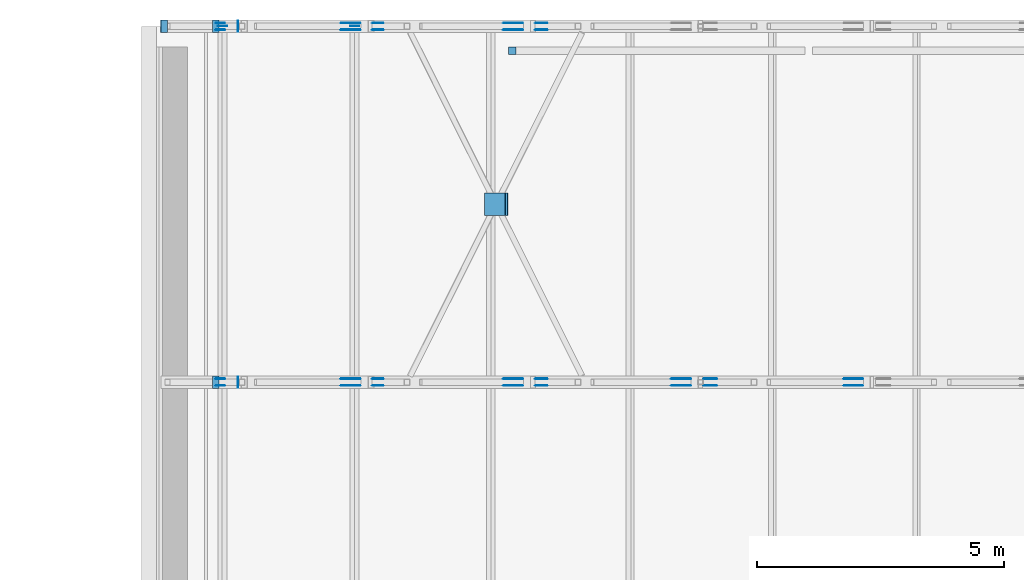
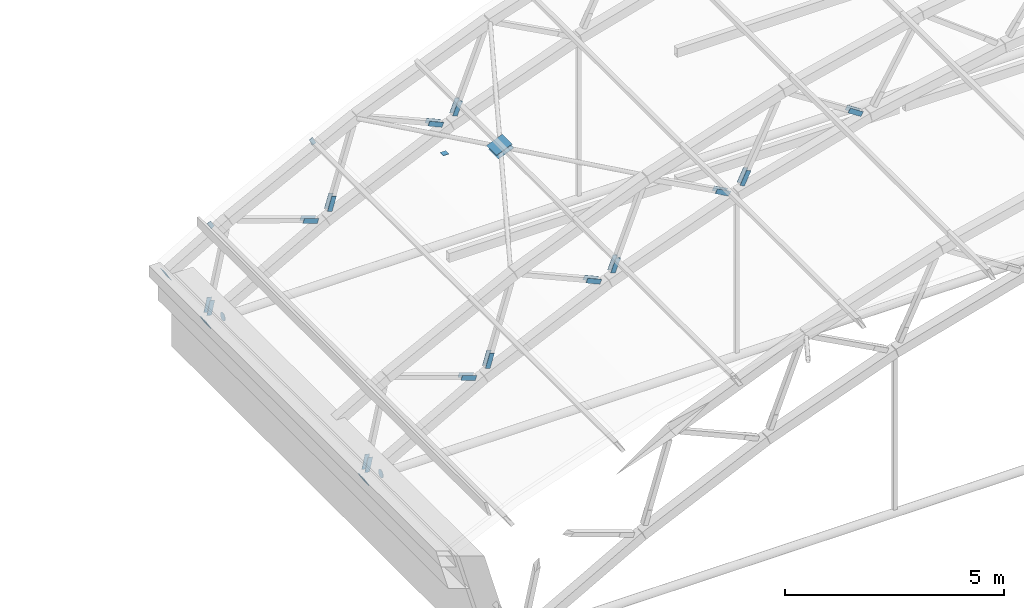
# One storey, part 109 of 127: 36 discrete accessories.
"""IFC4 building model written with IfcOpenShell, lengths in metres."""

from ifc_helpers import new_model, si_unit, direction, frame, origin, origin_2d, place, context, subcontext, project, spatial, rectangle, circle, extrude, material, material_profile, profile_set, type_object, element, save


model = new_model("IFC4")

# Units and contexts
model_context = context("Model", 3, precision=1e-05, world=origin(), true_north=direction((0.0, 1.0)))
body_context = subcontext(model_context, "Body", "Model", "MODEL_VIEW")
ifc_project = project(units=[si_unit("LENGTHUNIT", "METRE"), si_unit("AREAUNIT", "SQUARE_METRE"), si_unit("VOLUMEUNIT", "CUBIC_METRE"), si_unit("PLANEANGLEUNIT", "RADIAN"), si_unit("MASSUNIT", "GRAM", prefix="KILO")], contexts=[model_context])

# Site, building, storey
site_placement = place(None, origin())
site = spatial("IfcSite", under=ifc_project, at=site_placement, CompositionType="ELEMENT")
building_placement = place(site_placement, origin())
building = spatial("IfcBuilding", under=site, at=building_placement, Name="Verrick Yard Athletic Hall", CompositionType="ELEMENT")
storey_placement = place(building_placement, frame((0.0, 0.0, 14.0)))
storey = spatial("IfcBuildingStorey", under=building, at=storey_placement, Name="L03", CompositionType="ELEMENT", Elevation=14.0)

# Discrete accessories
ifc_material = material(Name="Structural steel 350W (CSA G40.21)", Category="steel")
ifc_material_profile_1 = material_profile(ifc_material, rectangle(XDim=0.39990234375, YDim=0.126953125, at=origin_2d()), Name="Brace end cheek plate")
ifc_profile_set_1 = profile_set([ifc_material_profile_1], Name="Structural steel 350W (CSA G40.21)")
discrete_accessory_type_1 = type_object("IfcDiscreteAccessoryType", Name="Brace end cheek plate 400x127x12", PredefinedType="BRACKET", material=ifc_profile_set_1)
for number, where, z_axis, x_axis, name in (
    (1, (121.69091796875, 100.863525390625, 0.416015625), (0.0, 1.0, 0.0), (0.213605450371, 0.0, 0.976920012883), "Truss web end plate TA5-1 1"),
    (2, (121.69091796875, 100.736572265625, 0.416015625), (0.0, -1.0, 0.0), (0.213605450371, 0.0, 0.976920012883), "Truss web end plate TA5-1 2"),
    (3, (124.32421875, 100.736572265625, 1.907470703125), (0.0, -1.0, 0.0), (-0.944025603302, 0.0, 0.32987218784), "Truss web end plate TA5-2 1"),
    (4, (124.32421875, 100.863525390625, 1.907470703125), (0.0, 1.0, 0.0), (-0.944025603302, 0.0, 0.32987218784), "Truss web end plate TA5-2 2"),
    (5, (124.877685546875, 100.863525390625, 2.18896484375), (0.0, 1.0, 0.0), (0.289473335175, 0.0, 0.95718607816), "Truss web end plate TA5-3 1"),
    (6, (124.877685546875, 100.736572265625, 2.18896484375), (0.0, -1.0, 0.0), (0.289473335175, 0.0, 0.95718607816), "Truss web end plate TA5-3 2"),
    (7, (127.61279296875, 100.736572265625, 3.447509765625), (0.0, -1.0, 0.0), (-0.915285173692, 0.0, 0.402806468194), "Truss web end plate TA5-4 1"),
    (8, (127.61279296875, 100.863525390625, 3.447509765625), (0.0, 1.0, 0.0), (-0.915285173692, 0.0, 0.402806468194), "Truss web end plate TA5-4 2"),
    (9, (128.186767578125, 100.863525390625, 3.684814453125), (0.0, 1.0, 0.0), (0.363562561074, 0.0, 0.931569784925), "Truss web end plate TA5-5 1"),
    (10, (128.186767578125, 100.736572265625, 3.684814453125), (0.0, -1.0, 0.0), (0.363562561074, 0.0, 0.931569784925), "Truss web end plate TA5-5 2"),
    (11, (131.01220703125, 100.736572265625, 4.725341796875), (0.0, -1.0, 0.0), (-0.880919955637, 0.0, 0.473265286876), "Truss web end plate TA5-6 1"),
    (12, (131.01220703125, 100.863525390625, 4.725341796875), (0.0, 1.0, 0.0), (-0.880919955637, 0.0, 0.473265286876), "Truss web end plate TA5-6 2"),
    (13, (131.602783203125, 100.863525390625, 4.9169921875), (0.0, 1.0, 0.0), (0.435417263932, 0.0, 0.90022875219), "Truss web end plate TA5-7 1"),
    (14, (131.602783203125, 100.736572265625, 4.9169921875), (0.0, -1.0, 0.0), (0.435417263932, 0.0, 0.90022875219), "Truss web end plate TA5-7 2"),
    (15, (134.501220703125, 100.736572265625, 5.73291015625), (0.0, -1.0, 0.0), (-0.841141186405, 0.0, 0.540815591984), "Truss web end plate TA5-8 1"),
    (16, (134.501220703125, 100.863525390625, 5.73291015625), (0.0, 1.0, 0.0), (-0.841141186405, 0.0, 0.540815591984), "Truss web end plate TA5-8 2"),
    (17, (121.69091796875, 108.0634765625, 0.416015625), (0.0, 1.0, 0.0), (0.213605450371, 0.0, 0.976920012883), "Truss web end plate TA6-1 1"),
    (18, (121.69091796875, 107.9365234375, 0.416015625), (0.0, -1.0, 0.0), (0.213605450371, 0.0, 0.976920012883), "Truss web end plate TA6-1 2"),
    (19, (124.32421875, 107.9365234375, 1.907470703125), (0.0, -1.0, 0.0), (-0.944025603302, 0.0, 0.32987218784), "Truss web end plate TA6-2 1"),
    (20, (124.32421875, 108.0634765625, 1.907470703125), (0.0, 1.0, 0.0), (-0.944025603302, 0.0, 0.32987218784), "Truss web end plate TA6-2 2"),
    (21, (124.877685546875, 108.0634765625, 2.18896484375), (0.0, 1.0, 0.0), (0.289473335175, 0.0, 0.95718607816), "Truss web end plate TA6-3 1"),
    (22, (124.877685546875, 107.9365234375, 2.18896484375), (0.0, -1.0, 0.0), (0.289473335175, 0.0, 0.95718607816), "Truss web end plate TA6-3 2"),
    (23, (127.61279296875, 107.9365234375, 3.447509765625), (0.0, -1.0, 0.0), (-0.915285173692, 0.0, 0.402806468194), "Truss web end plate TA6-4 1"),
    (24, (127.61279296875, 108.0634765625, 3.447509765625), (0.0, 1.0, 0.0), (-0.915285173692, 0.0, 0.402806468194), "Truss web end plate TA6-4 2"),
    (25, (128.186767578125, 108.0634765625, 3.684814453125), (0.0, 1.0, 0.0), (0.363562561074, 0.0, 0.931569784925), "Truss web end plate TA6-5 1"),
    (26, (128.186767578125, 107.9365234375, 3.684814453125), (0.0, -1.0, 0.0), (0.363562561074, 0.0, 0.931569784925), "Truss web end plate TA6-5 2"),
):
    element("IfcDiscreteAccessory", number, at=place(storey_placement, frame(where, z_axis=z_axis, x_axis=x_axis)), inside=storey, type_object=discrete_accessory_type_1, Name=name, PredefinedType="BRACKET", context=body_context, shape_type="SweptSolid", body=[
        extrude(rectangle(XDim=0.39990234375, YDim=0.126953125, at=origin_2d()), origin(), (0.0, 0.0, 1.0), 0.011962890625),
    ])
ifc_material_profile_2 = material_profile(ifc_material, rectangle(XDim=0.449951171875, YDim=0.449951171875, at=origin_2d()), Name="Brace node plate")
ifc_profile_set_2 = profile_set([ifc_material_profile_2], Name="Structural steel 350W (CSA G40.21)")
discrete_accessory_type_2 = type_object("IfcDiscreteAccessoryType", Name="Brace node plate 450x450x12", PredefinedType="BRACKET", material=ifc_profile_set_2)
discrete_accessory_1_placement = place(storey_placement, frame((127.29541015625, 104.39990234375, 5.028076171875), z_axis=(0.371390676354, 0.0, -0.928476690885), x_axis=(0.0, 1.0, 0.0)))
element("IfcDiscreteAccessory", 27, at=discrete_accessory_1_placement, inside=storey, type_object=discrete_accessory_type_2, Name="Brace node plate A5-1 1", PredefinedType="BRACKET", context=body_context, shape_type="SweptSolid", body=[
    extrude(rectangle(XDim=0.449951171875, YDim=0.449951171875, at=origin_2d()), origin(), (0.0, 0.0, 1.0), 0.01171875),
])
discrete_accessory_2_placement = place(storey_placement, frame((127.251708984375, 104.39990234375, 5.1337890625), z_axis=(-0.38897203704, 0.0, 0.921249561411), x_axis=(0.0, -1.0, 0.0)))
element("IfcDiscreteAccessory", 28, at=discrete_accessory_2_placement, inside=storey, type_object=discrete_accessory_type_2, Name="Brace node plate A5-1 2", PredefinedType="BRACKET", context=body_context, shape_type="SweptSolid", body=[
    extrude(rectangle(XDim=0.449951171875, YDim=0.449951171875, at=origin_2d()), origin(), (0.0, 0.0, 1.0), 0.011962890625),
])
ifc_material_profile_3 = material_profile(ifc_material, rectangle(XDim=0.1015625, YDim=0.203125, at=origin_2d()), Name="STR End cap plate 203x102x9.5")
ifc_profile_set_3 = profile_set([ifc_material_profile_3], Name="Structural steel 350W (CSA G40.21)")
discrete_accessory_type_3 = type_object("IfcDiscreteAccessoryType", Name="STR End cap plate 203x102x9.5", PredefinedType="BRACKET", material=ifc_profile_set_3)
for number, where, z_axis, x_axis, name in (
    (29, (124.410888671875, 108.0, 4.046875), (0.0, 1.0, 0.0), (-0.891352741199, 0.0, -0.453310369126), "End cap HB-PU-A-5-2 B"),
    (30, (121.73583984375, 108.0, 2.660888671875), (0.0, 1.0, 0.0), (-0.86316809178, 0.0, -0.504916671673), "End cap HB-PU-A-5-1 B"),
):
    element("IfcDiscreteAccessory", number, at=place(storey_placement, frame(where, z_axis=z_axis, x_axis=x_axis)), inside=storey, type_object=discrete_accessory_type_3, Name=name, PredefinedType="BRACKET", context=body_context, shape_type="SweptSolid", body=[
        extrude(rectangle(XDim=0.1015625, YDim=0.203125, at=origin_2d()), origin(), (0.0, 0.0, 1.0), 0.010009765625),
    ])
ifc_material_profile_4 = material_profile(ifc_material, rectangle(XDim=0.25390625, YDim=0.25390625, at=origin_2d()), Name="STR End cap plate 254x254x9.5")
ifc_profile_set_4 = profile_set([ifc_material_profile_4], Name="Structural steel 350W (CSA G40.21)")
discrete_accessory_type_4 = type_object("IfcDiscreteAccessoryType", Name="STR End cap plate 254x254x9.5", PredefinedType="BRACKET", material=ifc_profile_set_4)
discrete_accessory_3_placement = place(storey_placement, frame((120.5478515625, 108.0, 1.701171875), z_axis=(0.863778900898, 0.0, 0.503871025524), x_axis=(0.0, 1.0, 0.0)))
element("IfcDiscreteAccessory", 31, at=discrete_accessory_3_placement, inside=storey, type_object=discrete_accessory_type_4, Name="End cap Truss TA6 top chord 1 A", PredefinedType="BRACKET", context=body_context, shape_type="SweptSolid", body=[
    extrude(rectangle(XDim=0.25390625, YDim=0.25390625, at=origin_2d()), origin(), (0.0, 0.0, 1.0), 0.01025390625),
])
for number, where, z_axis, x_axis, name in (
    (32, (121.59130859375, 100.800048828125, -0.0048828125), (0.874157276122, 0.0, 0.485642931179), (0.0, 1.0, 0.0), "End cap Truss TA5 bottom chord 1 A"),
    (33, (121.59130859375, 108.0, -0.0048828125), (0.874157276122, 0.0, 0.485642931179), (0.0, 1.0, 0.0), "End cap Truss TA6 bottom chord 1 A"),
):
    element("IfcDiscreteAccessory", number, at=place(storey_placement, frame(where, z_axis=z_axis, x_axis=x_axis)), inside=storey, type_object=discrete_accessory_type_4, Name=name, PredefinedType="BRACKET", context=body_context, shape_type="SweptSolid", body=[
        extrude(rectangle(XDim=0.25390625, YDim=0.25390625, at=origin_2d()), origin(), (0.0, 0.0, 1.0), 0.010009765625),
    ])
ifc_material_profile_5 = material_profile(ifc_material, rectangle(XDim=0.15234375, YDim=0.15234375, at=origin_2d()), Name="STR End cap plate 152x152x9.5")
ifc_profile_set_5 = profile_set([ifc_material_profile_5], Name="Structural steel 350W (CSA G40.21)")
discrete_accessory_type_5 = type_object("IfcDiscreteAccessoryType", Name="STR End cap plate 152x152x9.5", PredefinedType="BRACKET", material=ifc_profile_set_5)
discrete_accessory_4_placement = place(storey_placement, frame((127.60009765625, 107.50537109375, 2.89697265625), z_axis=(0.0, 0.0, 1.0), x_axis=(1.0, 0.0, 0.0)))
element("IfcDiscreteAccessory", 34, at=discrete_accessory_4_placement, inside=storey, type_object=discrete_accessory_type_5, Name="End cap HB-GP-AN-1 B", PredefinedType="BRACKET", context=body_context, shape_type="SweptSolid", body=[
    extrude(rectangle(XDim=0.15234375, YDim=0.15234375, at=origin_2d()), origin(), (0.0, 0.0, 1.0), 0.010009765625),
])
ifc_material_profile_6 = material_profile(ifc_material, circle(Radius=0.109619140625, at=origin_2d()), Name="STR End cap plate 219x13")
ifc_profile_set_6 = profile_set([ifc_material_profile_6], Name="Structural steel 350W (CSA G40.21)")
discrete_accessory_type_6 = type_object("IfcDiscreteAccessoryType", Name="STR End cap plate 219x13", PredefinedType="BRACKET", material=ifc_profile_set_6)
for number, where, z_axis, x_axis, name in (
    (35, (122.04638671875, 108.0, 0.0), (1.0, 0.0, 0.0), (0.0, 1.0, 0.0), "End cap Truss TA6 tie 1 A"),
    (36, (122.04638671875, 100.800048828125, 0.0), (1.0, 0.0, 0.0), (0.0, 1.0, 0.0), "End cap Truss TA5 tie 1 A"),
):
    element("IfcDiscreteAccessory", number, at=place(storey_placement, frame(where, z_axis=z_axis, x_axis=x_axis)), inside=storey, type_object=discrete_accessory_type_6, Name=name, PredefinedType="BRACKET", context=body_context, shape_type="SweptSolid", body=[
        extrude(circle(Radius=0.109619140625, at=origin_2d()), origin(), (0.0, 0.0, 1.0), 0.010009765625),
    ])

save(model, "model.ifc")
